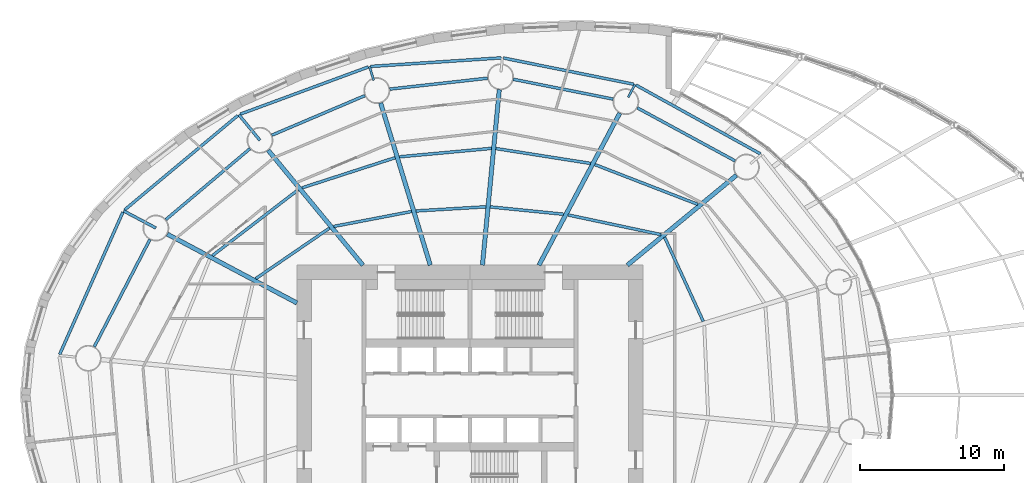
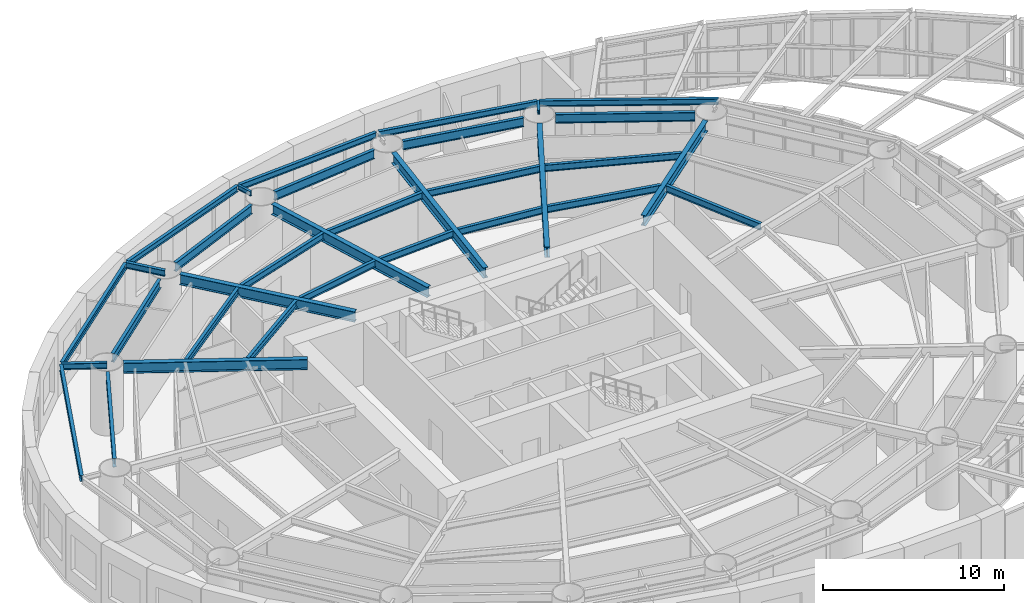
# One storey, part 8 of 23: 33 beams.
"""IFC4 building model written with IfcOpenShell, lengths in metres."""

from ifc_helpers import new_model, si_unit, direction, frame, origin, origin_2d, place, context, subcontext, project, spatial, i_section, extrude, material, material_profile, profile_set, type_object, element, save


model = new_model("IFC4")

# Units and contexts
model_context = context("Model", 3, precision=1e-05, world=origin(), true_north=direction((0.0, 1.0)))
body_context = subcontext(model_context, "Body", "Model", "MODEL_VIEW")
ifc_project = project(units=[si_unit("LENGTHUNIT", "METRE"), si_unit("AREAUNIT", "SQUARE_METRE"), si_unit("VOLUMEUNIT", "CUBIC_METRE"), si_unit("PLANEANGLEUNIT", "RADIAN"), si_unit("MASSUNIT", "GRAM", prefix="KILO")], contexts=[model_context])

# Site, building, storey
site_placement = place(None, origin())
site = spatial("IfcSite", under=ifc_project, at=site_placement, CompositionType="ELEMENT")
building_placement = place(site_placement, origin())
building = spatial("IfcBuilding", under=site, at=building_placement, Name="Vermilion Reach Broadcast Tower", CompositionType="ELEMENT")
storey_placement = place(building_placement, frame((0.0, 0.0, 31.5)))
storey = spatial("IfcBuildingStorey", under=building, at=storey_placement, Name="L04", CompositionType="ELEMENT", Elevation=31.5)

# Beams
ifc_material_1 = material(Name="Steel S355J2", Category="steel")
ifc_material_profile_1 = material_profile(ifc_material_1, i_section(OverallWidth=0.199951171875, OverallDepth=0.39990234375, WebThickness=0.008056640625, FlangeThickness=0.012939453125, at=origin_2d()), Name="S355J2 HN 400x200x8x13")
ifc_profile_set_1 = profile_set([ifc_material_profile_1], Name="Steel S355J2")
beam_type_1 = type_object("IfcBeamType", Name="EB1 HN 400x200x8x13", PredefinedType="BEAM", material=ifc_profile_set_1)
beam_1_placement = place(storey_placement, frame((14.14599609375, 16.710205078125, 4.14990234375), z_axis=(-0.875010865837, 0.484103278926, 0.0), x_axis=(-0.484103278926, -0.875010865837, 0.0)))
element("IfcBeam", 1, at=beam_1_placement, inside=storey, type_object=beam_type_1, Name="Edge beam EB1-02", PredefinedType="BEAM", context=body_context, shape_type="SweptSolid", body=[
    extrude(i_section(OverallWidth=0.199951171875, OverallDepth=0.39990234375, WebThickness=0.008056640625, FlangeThickness=0.012939453125, at=origin_2d()), origin(), (0.0, 0.0, 1.0), 9.87353515625),
])
beam_2_placement = place(storey_placement, frame((5.3642578125, 21.541748046875, 4.14990234375), z_axis=(-0.980285405334, 0.197586750796, 0.0), x_axis=(-0.197586750796, -0.980285405334, 0.0)))
element("IfcBeam", 2, at=beam_2_placement, inside=storey, type_object=beam_type_1, Name="Edge beam EB1-03", PredefinedType="BEAM", context=body_context, shape_type="SweptSolid", body=[
    extrude(i_section(OverallWidth=0.199951171875, OverallDepth=0.39990234375, WebThickness=0.008056640625, FlangeThickness=0.012939453125, at=origin_2d()), origin(), (0.0, 0.0, 1.0), 9.22509765625),
])
beam_3_placement = place(storey_placement, frame((-3.828857421875, 23.374267578125, 4.14990234375), z_axis=(-0.997849518042, -0.065546467061, 0.0), x_axis=(0.065546467061, -0.997849518042, 0.0)))
element("IfcBeam", 3, at=beam_3_placement, inside=storey, type_object=beam_type_1, Name="Edge beam EB1-04", PredefinedType="BEAM", context=body_context, shape_type="SweptSolid", body=[
    extrude(i_section(OverallWidth=0.199951171875, OverallDepth=0.39990234375, WebThickness=0.008056640625, FlangeThickness=0.012939453125, at=origin_2d()), origin(), (0.0, 0.0, 1.0), 9.080810546875),
])
beam_4_placement = place(storey_placement, frame((-13.03759765625, 22.748046875, 4.14990234375), z_axis=(-0.938258173377, -0.345935832333, 0.0), x_axis=(0.345935832333, -0.938258173377, 0.0)))
element("IfcBeam", 4, at=beam_4_placement, inside=storey, type_object=beam_type_1, Name="Edge beam EB1-05", PredefinedType="BEAM", context=body_context, shape_type="SweptSolid", body=[
    extrude(i_section(OverallWidth=0.199951171875, OverallDepth=0.39990234375, WebThickness=0.008056640625, FlangeThickness=0.012939453125, at=origin_2d()), origin(), (0.0, 0.0, 1.0), 9.473876953125),
])
beam_5_placement = place(storey_placement, frame((-22.102783203125, 19.3701171875, 4.14990234375), z_axis=(-0.76814478454, -0.640276182584, 0.0), x_axis=(0.640276182584, -0.76814478454, 0.0)))
element("IfcBeam", 5, at=beam_5_placement, inside=storey, type_object=beam_type_1, Name="Edge beam EB1-06", PredefinedType="BEAM", context=body_context, shape_type="SweptSolid", body=[
    extrude(i_section(OverallWidth=0.199951171875, OverallDepth=0.39990234375, WebThickness=0.008056640625, FlangeThickness=0.012939453125, at=origin_2d()), origin(), (0.0, 0.0, 1.0), 10.203369140625),
])
beam_6_placement = place(storey_placement, frame((-30.064208984375, 12.676513671875, 4.14990234375), z_axis=(-0.406096506764, -0.91383019604, 0.0), x_axis=(0.91383019604, -0.406096506764, 0.0)))
element("IfcBeam", 6, at=beam_6_placement, inside=storey, type_object=beam_type_1, Name="Edge beam EB1-07", PredefinedType="BEAM", context=body_context, shape_type="SweptSolid", body=[
    extrude(i_section(OverallWidth=0.199951171875, OverallDepth=0.39990234375, WebThickness=0.008056640625, FlangeThickness=0.012939453125, at=origin_2d()), origin(), (0.0, 0.0, 1.0), 10.79736328125),
])
ifc_material_2 = material(Name="Steel S355J2", Category="steel")
ifc_material_profile_2 = material_profile(ifc_material_2, i_section(OverallWidth=0.300048828125, OverallDepth=0.699951171875, WebThickness=0.012939453125, FlangeThickness=0.02392578125, at=origin_2d()), Name="S355J2 HN 700x300x13x24")
ifc_profile_set_2 = profile_set([ifc_material_profile_2], Name="Steel S355J2")
beam_type_2 = type_object("IfcBeamType", Name="G1 HN 700x300x13x24", PredefinedType="BEAM", material=ifc_profile_set_2)
beam_7_placement = place(storey_placement, frame((4.9140625, 9.0, 4.0), z_axis=(0.771514256373, 0.636212034005, 0.0), x_axis=(-0.636212034005, 0.771514256373, 0.0)))
element("IfcBeam", 7, at=beam_7_placement, inside=storey, type_object=beam_type_2, Name="Girder G1-02", PredefinedType="BEAM", context=body_context, shape_type="SweptSolid", body=[
    extrude(i_section(OverallWidth=0.300048828125, OverallDepth=0.699951171875, WebThickness=0.012939453125, FlangeThickness=0.02392578125, at=origin_2d()), origin(), (0.0, 0.0, 1.0), 9.796142578125),
])
beam_8_placement = place(storey_placement, frame((-1.216552734375, 9.0, 4.0), z_axis=(0.469312182262, 0.883032318537, 0.0), x_axis=(-0.883032318537, 0.469312182262, 0.0)))
element("IfcBeam", 8, at=beam_8_placement, inside=storey, type_object=beam_type_2, Name="Girder G1-03", PredefinedType="BEAM", context=body_context, shape_type="SweptSolid", body=[
    extrude(i_section(OverallWidth=0.300048828125, OverallDepth=0.699951171875, WebThickness=0.012939453125, FlangeThickness=0.02392578125, at=origin_2d()), origin(), (0.0, 0.0, 1.0), 11.94091796875),
])
beam_9_placement = place(storey_placement, frame((-5.135009765625, 9.0, 4.0), z_axis=(0.09566673912, 0.995413419151, 0.0), x_axis=(-0.995413419151, 0.09566673912, 0.0)))
element("IfcBeam", 9, at=beam_9_placement, inside=storey, type_object=beam_type_2, Name="Girder G1-04", PredefinedType="BEAM", context=body_context, shape_type="SweptSolid", body=[
    extrude(i_section(OverallWidth=0.300048828125, OverallDepth=0.699951171875, WebThickness=0.012939453125, FlangeThickness=0.02392578125, at=origin_2d()), origin(), (0.0, 0.0, 1.0), 12.22412109375),
])
beam_10_placement = place(storey_placement, frame((-8.753173828125, 9.0, 4.0), z_axis=(-0.292542302886, 0.95625258223, 0.0), x_axis=(-0.95625258223, -0.292542302886, 0.0)))
element("IfcBeam", 10, at=beam_10_placement, inside=storey, type_object=beam_type_2, Name="Girder G1-05", PredefinedType="BEAM", context=body_context, shape_type="SweptSolid", body=[
    extrude(i_section(OverallWidth=0.300048828125, OverallDepth=0.699951171875, WebThickness=0.012939453125, FlangeThickness=0.02392578125, at=origin_2d()), origin(), (0.0, 0.0, 1.0), 11.76220703125),
])
beam_11_placement = place(storey_placement, frame((-13.421630859375, 9.0, 4.0), z_axis=(-0.636215165107, 0.77151167437, 0.0), x_axis=(-0.77151167437, -0.636215165107, 0.0)))
element("IfcBeam", 11, at=beam_11_placement, inside=storey, type_object=beam_type_2, Name="Girder G1-06", PredefinedType="BEAM", context=body_context, shape_type="SweptSolid", body=[
    extrude(i_section(OverallWidth=0.300048828125, OverallDepth=0.699951171875, WebThickness=0.012939453125, FlangeThickness=0.02392578125, at=origin_2d()), origin(), (0.0, 0.0, 1.0), 10.3251953125),
])
beam_12_placement = place(storey_placement, frame((-18.0, 6.3779296875, 4.0), z_axis=(-0.883032139419, 0.469312519279, 0.0), x_axis=(-0.469312519279, -0.883032139419, 0.0)))
element("IfcBeam", 12, at=beam_12_placement, inside=storey, type_object=beam_type_2, Name="Girder G1-07", PredefinedType="BEAM", context=body_context, shape_type="SweptSolid", body=[
    extrude(i_section(OverallWidth=0.300048828125, OverallDepth=0.699951171875, WebThickness=0.012939453125, FlangeThickness=0.02392578125, at=origin_2d()), origin(), (0.0, 0.0, 1.0), 10.17529296875),
])
ifc_material_3 = material(Name="Steel S355J2", Category="steel")
ifc_material_profile_3 = material_profile(ifc_material_3, i_section(OverallWidth=0.199951171875, OverallDepth=0.39990234375, WebThickness=0.008056640625, FlangeThickness=0.012939453125, at=origin_2d()), Name="S355J2 HN 400x200x8x13")
ifc_profile_set_3 = profile_set([ifc_material_profile_3], Name="Steel S355J2")
beam_type_3 = type_object("IfcBeamType", Name="GC1 HN 400x200x8x13", PredefinedType="BEAM", material=ifc_profile_set_3)
beam_13_placement = place(storey_placement, frame((-20.563232421875, 17.660400390625, 4.14990234375), z_axis=(-0.636217071365, 0.771510102399, 0.0), x_axis=(-0.771510102399, -0.636217071365, 0.0)))
element("IfcBeam", 13, at=beam_13_placement, inside=storey, type_object=beam_type_3, Name="Cantilever girder GC1-06", PredefinedType="BEAM", context=body_context, shape_type="SweptSolid", body=[
    extrude(i_section(OverallWidth=0.199951171875, OverallDepth=0.39990234375, WebThickness=0.008056640625, FlangeThickness=0.012939453125, at=origin_2d()), origin(), (0.0, 0.0, 1.0), 2.299072265625),
])
beam_14_placement = place(storey_placement, frame((-27.77978515625, 11.57568359375, 4.14990234375), z_axis=(-0.883043551957, 0.469291045458, 0.0), x_axis=(-0.469291045458, -0.883043551957, 0.0)))
element("IfcBeam", 14, at=beam_14_placement, inside=storey, type_object=beam_type_3, Name="Cantilever girder GC1-07", PredefinedType="BEAM", context=body_context, shape_type="SweptSolid", body=[
    extrude(i_section(OverallWidth=0.199951171875, OverallDepth=0.39990234375, WebThickness=0.008056640625, FlangeThickness=0.012939453125, at=origin_2d()), origin(), (0.0, 0.0, 1.0), 2.540771484375),
])
ifc_material_4 = material(Name="Steel S355J2", Category="steel")
ifc_material_profile_4 = material_profile(ifc_material_4, i_section(OverallWidth=0.14990234375, OverallDepth=0.300048828125, WebThickness=0.006591796875, FlangeThickness=0.009033203125, at=origin_2d()), Name="S355J2 HN 300x150x6.5x9")
ifc_profile_set_4 = profile_set([ifc_material_profile_4], Name="Steel S355J2")
beam_type_4 = type_object("IfcBeamType", Name="GS1 HN 300x150x6.5x9", PredefinedType="BEAM", material=ifc_profile_set_4)
beam_15_placement = place(storey_placement, frame((4.9716796875, 20.643310546875, 4.199951171875), z_axis=(0.469244476458, 0.883068299348, 0.0), x_axis=(-0.883068299348, 0.469244476458, 0.0)))
element("IfcBeam", 15, at=beam_15_placement, inside=storey, type_object=beam_type_4, Name="Cantilever stub GS1-03", PredefinedType="BEAM", context=body_context, shape_type="SweptSolid", body=[
    extrude(i_section(OverallWidth=0.14990234375, OverallDepth=0.300048828125, WebThickness=0.006591796875, FlangeThickness=0.009033203125, at=origin_2d()), origin(), (0.0, 0.0, 1.0), 1.0),
])
beam_16_placement = place(storey_placement, frame((-12.674560546875, 21.81787109375, 4.199951171875), z_axis=(-0.292541120261, 0.956252944025, 0.0), x_axis=(-0.956252944025, -0.292541120261, 0.0)))
element("IfcBeam", 16, at=beam_16_placement, inside=storey, type_object=beam_type_4, Name="Cantilever stub GS1-05", PredefinedType="BEAM", context=body_context, shape_type="SweptSolid", body=[
    extrude(i_section(OverallWidth=0.14990234375, OverallDepth=0.300048828125, WebThickness=0.006591796875, FlangeThickness=0.009033203125, at=origin_2d()), origin(), (0.0, 0.0, 1.0), 0.999755859375),
])
ifc_material_5 = material(Name="Steel S355J2", Category="steel")
ifc_material_profile_5 = material_profile(ifc_material_5, i_section(OverallWidth=0.199951171875, OverallDepth=0.60009765625, WebThickness=0.010986328125, FlangeThickness=0.01708984375, at=origin_2d()), Name="S355J2 HN 600x200x11x17")
ifc_profile_set_5 = profile_set([ifc_material_profile_5], Name="Steel S355J2")
beam_type_5 = type_object("IfcBeamType", Name="RB1 HN 600x200x11x17", PredefinedType="BEAM", material=ifc_profile_set_5)
beam_17_placement = place(storey_placement, frame((12.375244140625, 16.234130859375, 4.050048828125), z_axis=(-0.878962319551, 0.476891225344, 0.0), x_axis=(-0.476891225344, -0.878962319551, 0.0)))
element("IfcBeam", 17, at=beam_17_placement, inside=storey, type_object=beam_type_5, Name="Ring beam RB1-02", PredefinedType="BEAM", context=body_context, shape_type="SweptSolid", body=[
    extrude(i_section(OverallWidth=0.199951171875, OverallDepth=0.60009765625, WebThickness=0.010986328125, FlangeThickness=0.01708984375, at=origin_2d()), origin(), (0.0, 0.0, 1.0), 7.707275390625),
])
beam_18_placement = place(storey_placement, frame((3.927001953125, 20.51416015625, 4.050048828125), z_axis=(-0.980857717995, 0.194725799651, 0.0), x_axis=(-0.194725799651, -0.980857717995, 0.0)))
element("IfcBeam", 18, at=beam_18_placement, inside=storey, type_object=beam_type_5, Name="Ring beam RB1-03", PredefinedType="BEAM", context=body_context, shape_type="SweptSolid", body=[
    extrude(i_section(OverallWidth=0.199951171875, OverallDepth=0.60009765625, WebThickness=0.010986328125, FlangeThickness=0.01708984375, at=origin_2d()), origin(), (0.0, 0.0, 1.0), 7.05859375),
])
beam_19_placement = place(storey_placement, frame((-4.77392578125, 21.964111328125, 4.050048828125), z_axis=(-0.993851439324, -0.110721798009, 0.0), x_axis=(0.110721798009, -0.993851439324, 0.0)))
element("IfcBeam", 19, at=beam_19_placement, inside=storey, type_object=beam_type_5, Name="Ring beam RB1-04", PredefinedType="BEAM", context=body_context, shape_type="SweptSolid", body=[
    extrude(i_section(OverallWidth=0.199951171875, OverallDepth=0.60009765625, WebThickness=0.010986328125, FlangeThickness=0.01708984375, at=origin_2d()), origin(), (0.0, 0.0, 1.0), 6.8310546875),
])
beam_20_placement = place(storey_placement, frame((-13.28564453125, 20.755859375, 4.050048828125), z_axis=(-0.920220846584, -0.391399531825, 0.0), x_axis=(0.391399531825, -0.920220846584, 0.0)))
element("IfcBeam", 20, at=beam_20_placement, inside=storey, type_object=beam_type_5, Name="Ring beam RB1-05", PredefinedType="BEAM", context=body_context, shape_type="SweptSolid", body=[
    extrude(i_section(OverallWidth=0.199951171875, OverallDepth=0.60009765625, WebThickness=0.010986328125, FlangeThickness=0.01708984375, at=origin_2d()), origin(), (0.0, 0.0, 1.0), 7.008544921875),
])
beam_21_placement = place(storey_placement, frame((-21.251220703125, 17.080322265625, 4.050048828125), z_axis=(-0.764512441084, -0.6446089725, 0.0), x_axis=(0.6446089725, -0.764512441084, 0.0)))
element("IfcBeam", 21, at=beam_21_placement, inside=storey, type_object=beam_type_5, Name="Ring beam RB1-06", PredefinedType="BEAM", context=body_context, shape_type="SweptSolid", body=[
    extrude(i_section(OverallWidth=0.199951171875, OverallDepth=0.60009765625, WebThickness=0.010986328125, FlangeThickness=0.01708984375, at=origin_2d()), origin(), (0.0, 0.0, 1.0), 7.6396484375),
])
beam_22_placement = place(storey_placement, frame((-28.194091796875, 10.776611328125, 4.050048828125), z_axis=(-0.460411617218, -0.887705549566, 0.0), x_axis=(0.887705549566, -0.460411617218, 0.0)))
element("IfcBeam", 22, at=beam_22_placement, inside=storey, type_object=beam_type_5, Name="Ring beam RB1-07", PredefinedType="BEAM", context=body_context, shape_type="SweptSolid", body=[
    extrude(i_section(OverallWidth=0.199951171875, OverallDepth=0.60009765625, WebThickness=0.010986328125, FlangeThickness=0.01708984375, at=origin_2d()), origin(), (0.0, 0.0, 1.0), 8.37451171875),
])
ifc_material_6 = material(Name="Steel S355J2", Category="steel")
ifc_material_profile_6 = material_profile(ifc_material_6, i_section(OverallWidth=0.199951171875, OverallDepth=0.449951171875, WebThickness=0.009033203125, FlangeThickness=0.013916015625, at=origin_2d()), Name="S355J2 HN 450x200x9x14")
ifc_profile_set_6 = profile_set([ifc_material_profile_6], Name="Steel S355J2")
beam_type_6 = type_object("IfcBeamType", Name="SB1 HN 450x200x9x14", PredefinedType="BEAM", material=ifc_profile_set_6)
beam_23_placement = place(storey_placement, frame((10.175048828125, 5.105224609375, 4.125), z_axis=(-0.417211452529, 0.908809443106, 0.0), x_axis=(-0.908809443106, -0.417211452529, 0.0)))
element("IfcBeam", 23, at=beam_23_placement, inside=storey, type_object=beam_type_6, Name="Secondary beam SB1-01-1", PredefinedType="BEAM", context=body_context, shape_type="SweptSolid", body=[
    extrude(i_section(OverallWidth=0.199951171875, OverallDepth=0.449951171875, WebThickness=0.009033203125, FlangeThickness=0.013916015625, at=origin_2d()), origin(), (0.0, 0.0, 1.0), 6.41650390625),
])
beam_24_placement = place(storey_placement, frame((7.24560546875, 11.1171875, 4.125), z_axis=(-0.978270372412, 0.207333254596, 0.0), x_axis=(-0.207333254596, -0.978270372412, 0.0)))
element("IfcBeam", 24, at=beam_24_placement, inside=storey, type_object=beam_type_6, Name="Secondary beam SB1-02-1", PredefinedType="BEAM", context=body_context, shape_type="SweptSolid", body=[
    extrude(i_section(OverallWidth=0.199951171875, OverallDepth=0.449951171875, WebThickness=0.009033203125, FlangeThickness=0.013916015625, at=origin_2d()), origin(), (0.0, 0.0, 1.0), 6.584716796875),
])
beam_25_placement = place(storey_placement, frame((9.7919921875, 13.217041015625, 4.125), z_axis=(-0.932680743753, 0.360702966765, 0.0), x_axis=(-0.360702966765, -0.932680743753, 0.0)))
element("IfcBeam", 25, at=beam_25_placement, inside=storey, type_object=beam_type_6, Name="Secondary beam SB1-02-2", PredefinedType="BEAM", context=body_context, shape_type="SweptSolid", body=[
    extrude(i_section(OverallWidth=0.199951171875, OverallDepth=0.449951171875, WebThickness=0.009033203125, FlangeThickness=0.013916015625, at=origin_2d()), origin(), (0.0, 0.0, 1.0), 7.646240234375),
])
beam_26_placement = place(storey_placement, frame((0.490234375, 12.531005859375, 4.125), z_axis=(-0.995010199331, 0.099773259079, 0.0), x_axis=(-0.099773259079, -0.995010199331, 0.0)))
element("IfcBeam", 26, at=beam_26_placement, inside=storey, type_object=beam_type_6, Name="Secondary beam SB1-03-1", PredefinedType="BEAM", context=body_context, shape_type="SweptSolid", body=[
    extrude(i_section(OverallWidth=0.199951171875, OverallDepth=0.449951171875, WebThickness=0.009033203125, FlangeThickness=0.013916015625, at=origin_2d()), origin(), (0.0, 0.0, 1.0), 5.111572265625),
])
beam_27_placement = place(storey_placement, frame((2.36279296875, 16.05419921875, 4.125), z_axis=(-0.987829548379, 0.155540294938, 0.0), x_axis=(-0.155540294938, -0.987829548379, 0.0)))
element("IfcBeam", 27, at=beam_27_placement, inside=storey, type_object=beam_type_6, Name="Secondary beam SB1-03-2", PredefinedType="BEAM", context=body_context, shape_type="SweptSolid", body=[
    extrude(i_section(OverallWidth=0.199951171875, OverallDepth=0.449951171875, WebThickness=0.009033203125, FlangeThickness=0.013916015625, at=origin_2d()), origin(), (0.0, 0.0, 1.0), 6.650634765625),
])
beam_28_placement = place(storey_placement, frame((-4.896728515625, 13.046875, 4.125), z_axis=(-0.99823410974, -0.059402543307, 0.0), x_axis=(0.059402543307, -0.99823410974, 0.0)))
element("IfcBeam", 28, at=beam_28_placement, inside=storey, type_object=beam_type_6, Name="Secondary beam SB1-04-1", PredefinedType="BEAM", context=body_context, shape_type="SweptSolid", body=[
    extrude(i_section(OverallWidth=0.199951171875, OverallDepth=0.449951171875, WebThickness=0.009033203125, FlangeThickness=0.013916015625, at=origin_2d()), origin(), (0.0, 0.0, 1.0), 4.85791015625),
])
beam_29_placement = place(storey_placement, frame((-4.50732421875, 17.09814453125, 4.125), z_axis=(-0.995818616382, -0.091352521952, 0.0), x_axis=(0.091352521952, -0.995818616382, 0.0)))
element("IfcBeam", 29, at=beam_29_placement, inside=storey, type_object=beam_type_6, Name="Secondary beam SB1-04-2", PredefinedType="BEAM", context=body_context, shape_type="SweptSolid", body=[
    extrude(i_section(OverallWidth=0.199951171875, OverallDepth=0.449951171875, WebThickness=0.009033203125, FlangeThickness=0.013916015625, at=origin_2d()), origin(), (0.0, 0.0, 1.0), 6.4140625),
])
beam_30_placement = place(storey_placement, frame((-10.04833984375, 12.720703125, 4.125), z_axis=(-0.982151348822, -0.188092339045, 0.0), x_axis=(0.188092339045, -0.982151348822, 0.0)))
element("IfcBeam", 30, at=beam_30_placement, inside=storey, type_object=beam_type_6, Name="Secondary beam SB1-05-1", PredefinedType="BEAM", context=body_context, shape_type="SweptSolid", body=[
    extrude(i_section(OverallWidth=0.199951171875, OverallDepth=0.449951171875, WebThickness=0.009033203125, FlangeThickness=0.013916015625, at=origin_2d()), origin(), (0.0, 0.0, 1.0), 5.4931640625),
])
beam_31_placement = place(storey_placement, frame((-11.18994140625, 16.4521484375, 4.125), z_axis=(-0.951332300844, -0.308166924523, 0.0), x_axis=(0.308166924523, -0.951332300844, 0.0)))
element("IfcBeam", 31, at=beam_31_placement, inside=storey, type_object=beam_type_6, Name="Secondary beam SB1-05-2", PredefinedType="BEAM", context=body_context, shape_type="SweptSolid", body=[
    extrude(i_section(OverallWidth=0.199951171875, OverallDepth=0.449951171875, WebThickness=0.009033203125, FlangeThickness=0.013916015625, at=origin_2d()), origin(), (0.0, 0.0, 1.0), 6.787841796875),
])
beam_32_placement = place(storey_placement, frame((-15.735595703125, 11.5703125, 4.125), z_axis=(-0.825140253447, -0.564927926502, 0.0), x_axis=(0.564927926502, -0.825140253447, 0.0)))
element("IfcBeam", 32, at=beam_32_placement, inside=storey, type_object=beam_type_6, Name="Secondary beam SB1-06-1", PredefinedType="BEAM", context=body_context, shape_type="SweptSolid", body=[
    extrude(i_section(OverallWidth=0.199951171875, OverallDepth=0.449951171875, WebThickness=0.009033203125, FlangeThickness=0.013916015625, at=origin_2d()), origin(), (0.0, 0.0, 1.0), 6.20458984375),
])
beam_33_placement = place(storey_placement, frame((-17.920166015625, 14.21923828125, 4.125), z_axis=(-0.793349617473, -0.60876628065, 0.0), x_axis=(0.60876628065, -0.793349617473, 0.0)))
element("IfcBeam", 33, at=beam_33_placement, inside=storey, type_object=beam_type_6, Name="Secondary beam SB1-06-2", PredefinedType="BEAM", context=body_context, shape_type="SweptSolid", body=[
    extrude(i_section(OverallWidth=0.199951171875, OverallDepth=0.449951171875, WebThickness=0.009033203125, FlangeThickness=0.013916015625, at=origin_2d()), origin(), (0.0, 0.0, 1.0), 7.486328125),
])

save(model, "model.ifc")
